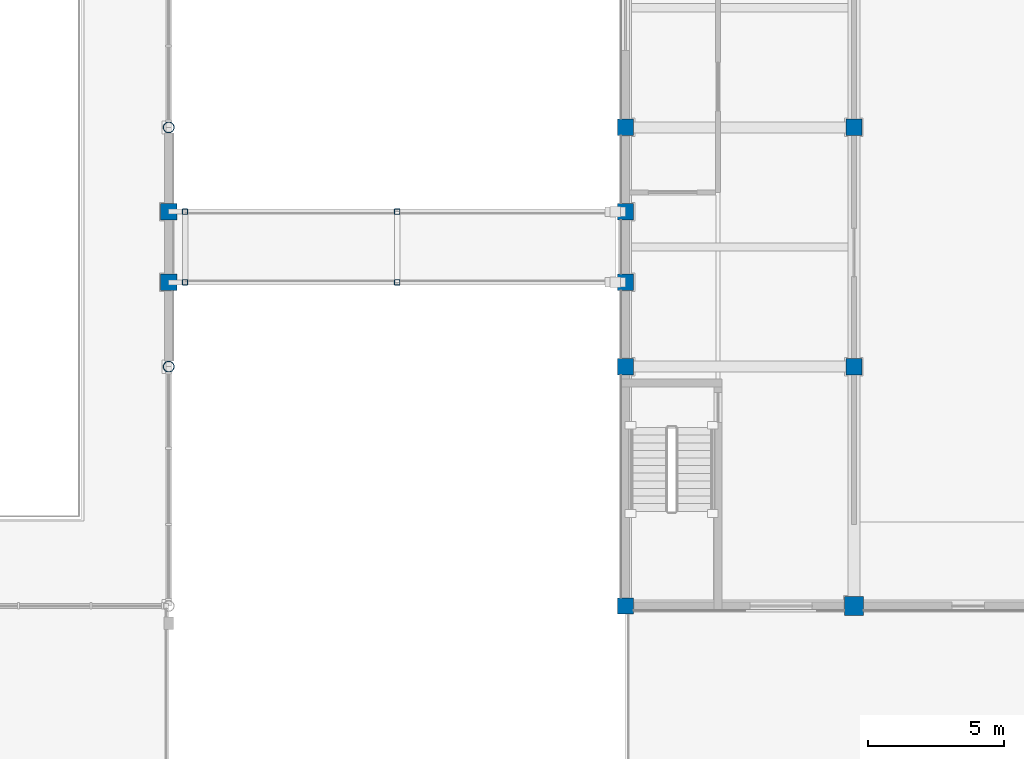
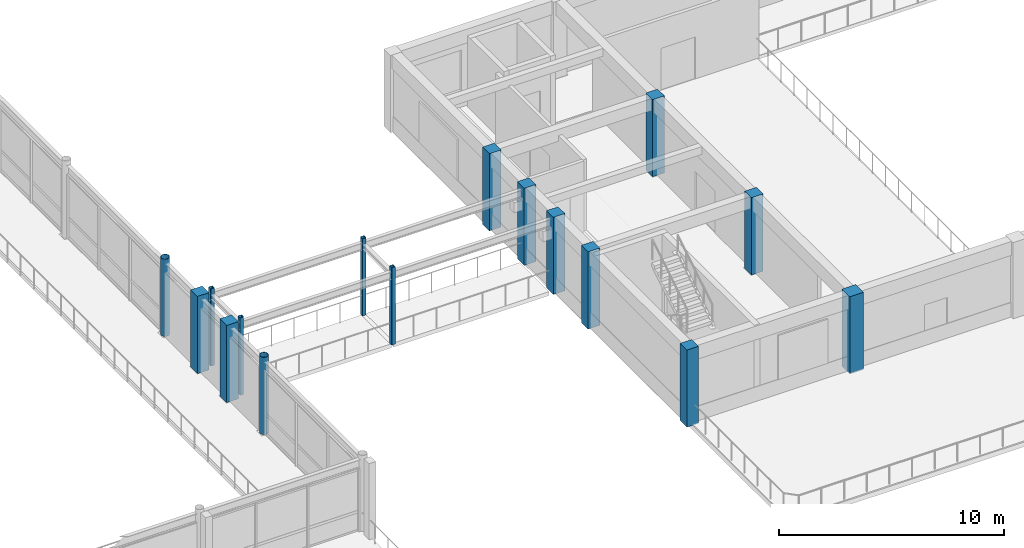
# One storey, part 2 of 57: 16 columns.
"""IFC4 building model written with IfcOpenShell, lengths in metres."""

from ifc_helpers import new_model, si_unit, direction, frame, origin, origin_2d, place, context, subcontext, project, spatial, rectangle, hollow_rectangle, hollow_circle, extrude, material, material_profile, profile_set, type_object, element, save


model = new_model("IFC4")

# Units and contexts
model_context = context("Model", 3, precision=1e-05, world=origin(), true_north=direction((0.0, 1.0)))
body_context = subcontext(model_context, "Body", "Model", "MODEL_VIEW")
ifc_project = project(units=[si_unit("LENGTHUNIT", "METRE"), si_unit("AREAUNIT", "SQUARE_METRE"), si_unit("VOLUMEUNIT", "CUBIC_METRE"), si_unit("PLANEANGLEUNIT", "RADIAN"), si_unit("MASSUNIT", "GRAM", prefix="KILO")], contexts=[model_context])

# Site, building, storey
site_placement = place(None, origin())
site = spatial("IfcSite", under=ifc_project, at=site_placement, CompositionType="ELEMENT")
building_placement = place(site_placement, origin())
building = spatial("IfcBuilding", under=site, at=building_placement, Name="Kemercrest Conservatory and Botanical Centre", CompositionType="ELEMENT")
storey_placement = place(building_placement, frame((0.0, 0.0, 4.800048828125)))
storey = spatial("IfcBuildingStorey", under=building, at=storey_placement, Name="L01", CompositionType="ELEMENT", Elevation=4.800048828125)

# Columns
ifc_material_1 = material(Name="Concrete C40/50", Category="concrete")
ifc_material_profile_1 = material_profile(ifc_material_1, rectangle(XDim=0.60009765625, YDim=0.60009765625, at=origin_2d()), Name="RC 600x600")
ifc_profile_set_1 = profile_set([ifc_material_profile_1], Name="Concrete C40/50")
column_type_1 = type_object("IfcColumnType", Name="C-RC60", PredefinedType="COLUMN", material=ifc_profile_set_1)
for number, where, z_axis, x_axis, name in (
    (1, (58.39990234375, 16.800048828125, 0.0), (0.0, 0.0, 1.0), (1.0, 0.0, 0.0), "Auditorium column 07/B"),
    (2, (58.39990234375, 25.60009765625, 0.0), (0.0, 0.0, 1.0), (1.0, 0.0, 0.0), "Auditorium column 07/C"),
    (3, (58.39990234375, 34.39990234375, 0.0), (0.0, 0.0, 1.0), (1.0, 0.0, 0.0), "Auditorium column 07/D"),
    (4, (66.800048828125, 25.60009765625, 0.0), (0.0, 0.0, 1.0), (1.0, 0.0, 0.0), "Auditorium column 08/C"),
    (5, (66.800048828125, 34.39990234375, 0.0), (0.0, 0.0, 1.0), (1.0, 0.0, 0.0), "Auditorium column 08/D"),
    (6, (41.60009765625, 28.699951171875, 0.0), (0.0, 0.0, 1.0), (1.0, 0.0, 0.0), "South Courtyard Covered Passage SJ-1 org pier column 1"),
    (7, (41.60009765625, 31.300048828125, 0.0), (0.0, 0.0, 1.0), (1.0, 0.0, 0.0), "South Courtyard Covered Passage SJ-1 org pier column 2"),
    (8, (58.39990234375, 28.699951171875, 0.0), (0.0, 0.0, 1.0), (1.0, 0.0, 0.0), "South Courtyard Covered Passage SJ-1 rcv pier column 1"),
    (9, (58.39990234375, 31.300048828125, 0.0), (0.0, 0.0, 1.0), (1.0, 0.0, 0.0), "South Courtyard Covered Passage SJ-1 rcv pier column 2"),
):
    element("IfcColumn", number, at=place(storey_placement, frame(where, z_axis=z_axis, x_axis=x_axis)), inside=storey, type_object=column_type_1, Name=name, PredefinedType="COLUMN", context=body_context, shape_type="SweptSolid", body=[
        extrude(rectangle(XDim=0.60009765625, YDim=0.60009765625, at=origin_2d()), origin(), (0.0, 0.0, 1.0), 4.199951171875),
    ])
ifc_material_2 = material(Name="Concrete C50/60", Category="concrete")
ifc_material_profile_2 = material_profile(ifc_material_2, rectangle(XDim=0.699951171875, YDim=0.699951171875, at=origin_2d()), Name="RC 700x700")
ifc_profile_set_2 = profile_set([ifc_material_profile_2], Name="Concrete C50/60")
column_type_2 = type_object("IfcColumnType", Name="C-RC70", PredefinedType="COLUMN", material=ifc_profile_set_2)
column_placement = place(storey_placement, frame((66.800048828125, 16.800048828125, 0.0), z_axis=(0.0, 0.0, 1.0), x_axis=(1.0, 0.0, 0.0)))
element("IfcColumn", 10, at=column_placement, inside=storey, type_object=column_type_2, Name="Auditorium column 08/B", PredefinedType="COLUMN", context=body_context, shape_type="SweptSolid", body=[
    extrude(rectangle(XDim=0.699951171875, YDim=0.699951171875, at=origin_2d()), origin(), (0.0, 0.0, 1.0), 4.199951171875),
])
ifc_material_3 = material(Name="Steel CSA G40.21 350W", Category="steel")
ifc_material_profile_3 = material_profile(ifc_material_3, hollow_rectangle(XDim=0.203125, YDim=0.203125, WallThickness=0.0126953125, InnerFilletRadius=0.0126953125, OuterFilletRadius=0.02490234375, at=origin_2d()), Name="HSS 203x203x12.7")
ifc_profile_set_3 = profile_set([ifc_material_profile_3], Name="Steel CSA G40.21 350W")
column_type_3 = type_object("IfcColumnType", Name="C-S203", PredefinedType="COLUMN", material=ifc_profile_set_3)
for number, where, z_axis, x_axis, name in (
    (11, (42.199951171875, 28.699951171875, 0.0), (0.0, 0.0, 1.0), (1.0, 0.0, 0.0), "South Courtyard Covered Passage SJ-1 support column P0-1"),
    (12, (42.199951171875, 31.300048828125, 0.0), (0.0, 0.0, 1.0), (1.0, 0.0, 0.0), "South Courtyard Covered Passage SJ-1 support column P0-2"),
    (13, (50.0, 28.699951171875, 0.0), (0.0, 0.0, 1.0), (1.0, 0.0, 0.0), "South Courtyard Covered Passage SJ-1 support column P1-1"),
    (14, (50.0, 31.300048828125, 0.0), (0.0, 0.0, 1.0), (1.0, 0.0, 0.0), "South Courtyard Covered Passage SJ-1 support column P1-2"),
):
    element("IfcColumn", number, at=place(storey_placement, frame(where, z_axis=z_axis, x_axis=x_axis)), inside=storey, type_object=column_type_3, Name=name, PredefinedType="COLUMN", context=body_context, shape_type="SweptSolid", body=[
        extrude(hollow_rectangle(XDim=0.203125, YDim=0.203125, WallThickness=0.0126953125, InnerFilletRadius=0.0126953125, OuterFilletRadius=0.02490234375, at=origin_2d()), origin(), (0.0, 0.0, 1.0), 4.199951171875),
    ])
ifc_material_profile_4 = material_profile(ifc_material_3, hollow_circle(Radius=0.203125, WallThickness=0.01611328125, at=origin_2d()), Name="CHS 406.4x16.0")
ifc_profile_set_4 = profile_set([ifc_material_profile_4], Name="Steel CSA G40.21 350W")
column_type_4 = type_object("IfcColumnType", Name="C-S406", PredefinedType="COLUMN", material=ifc_profile_set_4)
for number, where, z_axis, x_axis, name in (
    (15, (41.60009765625, 25.60009765625, 0.0), (0.0, 0.0, 1.0), (1.0, 0.0, 0.0), "Conservatory perimeter steel column 05/C"),
    (16, (41.60009765625, 34.39990234375, 0.0), (0.0, 0.0, 1.0), (1.0, 0.0, 0.0), "Conservatory perimeter steel column 05/D"),
):
    element("IfcColumn", number, at=place(storey_placement, frame(where, z_axis=z_axis, x_axis=x_axis)), inside=storey, type_object=column_type_4, Name=name, PredefinedType="COLUMN", context=body_context, shape_type="SweptSolid", body=[
        extrude(hollow_circle(Radius=0.203125, WallThickness=0.01611328125, at=origin_2d()), origin(), (0.0, 0.0, 1.0), 4.199951171875),
    ])

save(model, "model.ifc")
